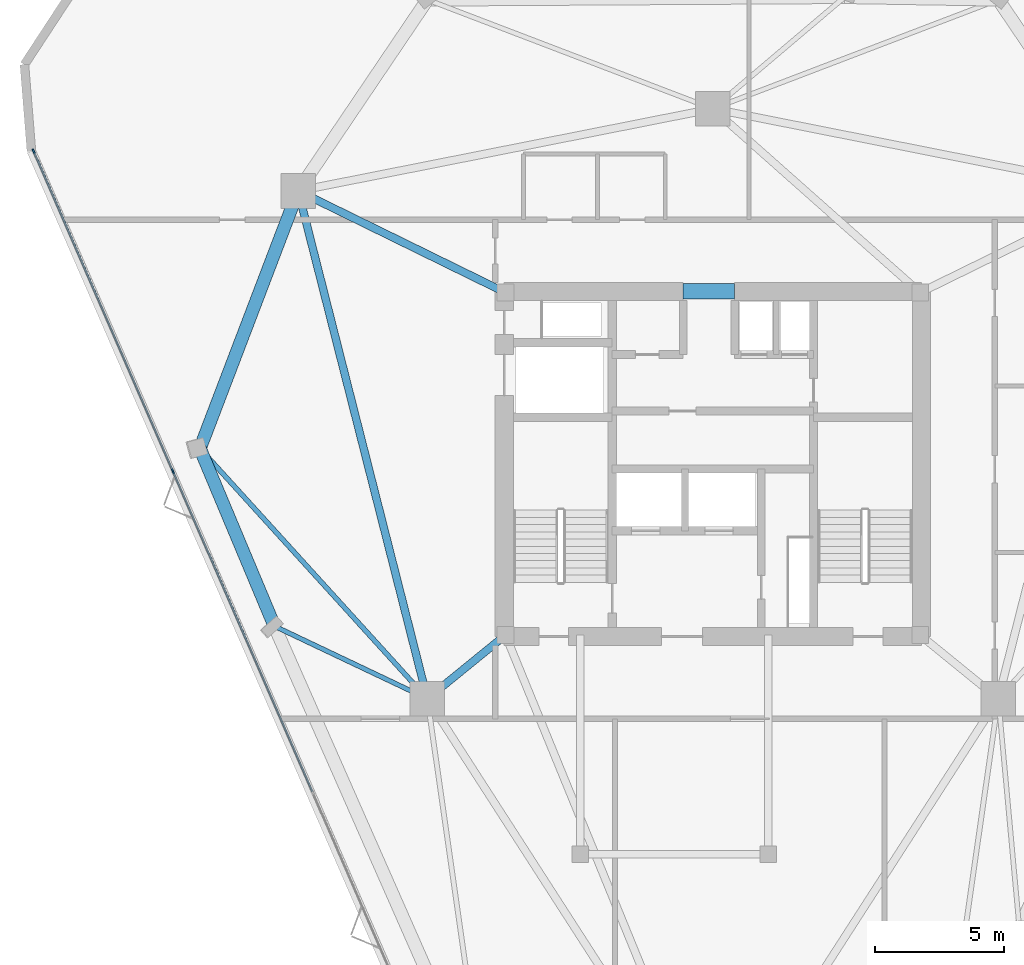
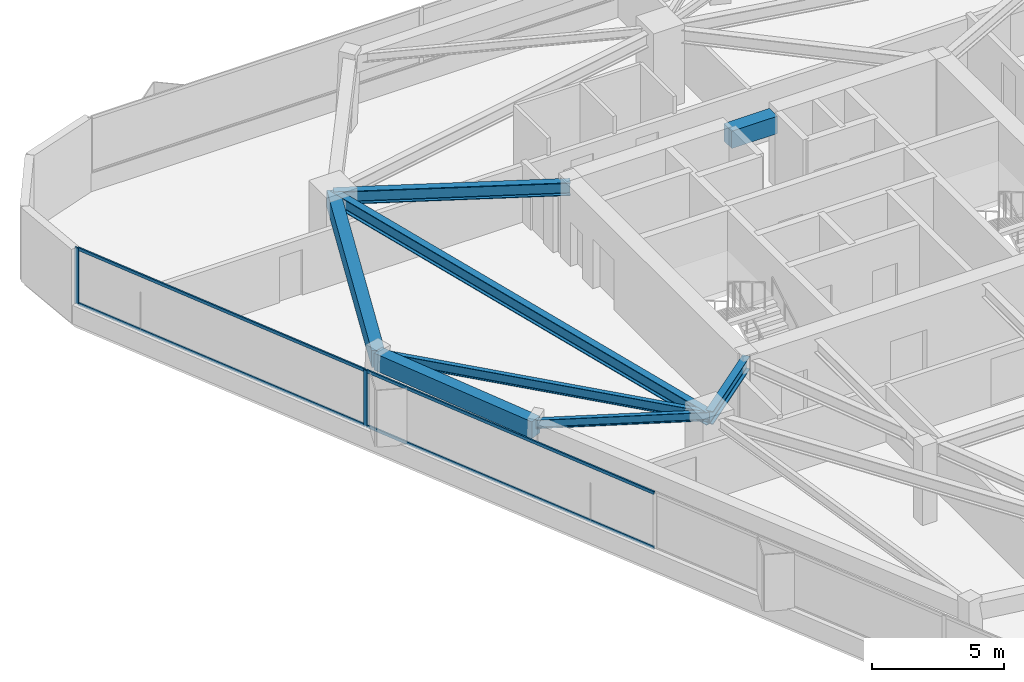
# One storey, part 5 of 12: 8 beams, 6 members, 1 element without a shape of its own.
"""IFC4 building model written with IfcOpenShell, lengths in metres."""

from ifc_helpers import new_model, si_unit, direction, frame, origin, origin_2d, place, context, subcontext, project, spatial, rectangle, i_section, extrude, material, layer, layer_set, material_profile, profile_set, type_object, element, aggregate, save


model = new_model("IFC4")

# Units and contexts
model_context = context("Model", 3, precision=1e-05, world=origin(), true_north=direction((0.0, 1.0)))
body_context = subcontext(model_context, "Body", "Model", "MODEL_VIEW")
ifc_project = project(units=[si_unit("LENGTHUNIT", "METRE"), si_unit("AREAUNIT", "SQUARE_METRE"), si_unit("VOLUMEUNIT", "CUBIC_METRE"), si_unit("PLANEANGLEUNIT", "RADIAN"), si_unit("MASSUNIT", "GRAM", prefix="KILO")], contexts=[model_context])

# Site, building, storey
site_placement = place(None, origin())
site = spatial("IfcSite", under=ifc_project, at=site_placement, CompositionType="ELEMENT")
building_placement = place(site_placement, origin())
building = spatial("IfcBuilding", under=site, at=building_placement, Name="Talyreon Biosciences Tower", CompositionType="ELEMENT")
storey_placement = place(building_placement, frame((0.0, 0.0, 186.699951171875)))
storey = spatial("IfcBuildingStorey", under=building, at=storey_placement, Name="L49", CompositionType="ELEMENT", Elevation=186.699951171875)

# Curtain wall, members
ifc_material_1 = material(Name="Thermally broken aluminium and low-E glazing", Category="aluminium")
ifc_layer = layer(ifc_material_1, 0.179931640625)
ifc_layer_set = layer_set([ifc_layer], Name="Thermally broken aluminium and low-E glazing")
curtain_wall_type = type_object("IfcCurtainWallType", Name="CurtainWall_Zone4Optical", PredefinedType="NOTDEFINED", material=ifc_layer_set)
curtain_wall_placement = place(storey_placement, origin())
curtain_wall = element("IfcCurtainWall", 1, at=curtain_wall_placement, inside=storey, type_object=curtain_wall_type, Name="L49 Unitised Curtain Wall FCW-L49-00", PredefinedType="NOTDEFINED")
ifc_material_2 = material(Name="Anodised thermally broken aluminium", Category="aluminium")
ifc_material_profile_1 = material_profile(ifc_material_2, rectangle(XDim=0.06494140625, YDim=0.179931640625, at=origin_2d()), Name="ALUM MULLION 65x180")
ifc_profile_set_1 = profile_set([ifc_material_profile_1], Name="Anodised thermally broken aluminium")
member_type_1 = type_object("IfcMemberType", Name="CWMullion_65x180", PredefinedType="MULLION", material=ifc_profile_set_1)
member_1_placement = place(storey_placement, frame((45.033447265625, 67.713623046875, 0.81005859375), z_axis=(0.0, 0.0, 1.0), x_axis=(-0.916912184291, -0.399089020519, 0.0)))
member_1 = element("IfcMember", 2, at=member_1_placement, type_object=member_type_1, Name="CW5 mullion 4", PredefinedType="MULLION", context=body_context, shape_type="SweptSolid", body=[
    extrude(rectangle(XDim=0.06494140625, YDim=0.179931640625, at=origin_2d()), origin(), (0.0, 0.0, 1.0), 2.590087890625),
])
member_2_placement = place(storey_placement, frame((39.622314453125, 80.145751953125, 0.81005859375), z_axis=(0.0, 0.0, 1.0), x_axis=(-0.916912184291, -0.399089020519, 0.0)))
member_2 = element("IfcMember", 3, at=member_2_placement, type_object=member_type_1, Name="CW5 mullion 5", PredefinedType="MULLION", context=body_context, shape_type="SweptSolid", body=[
    extrude(rectangle(XDim=0.06494140625, YDim=0.179931640625, at=origin_2d()), origin(), (0.0, 0.0, 1.0), 2.590087890625),
])
ifc_material_profile_2 = material_profile(ifc_material_2, rectangle(XDim=0.06494140625, YDim=0.139892578125, at=origin_2d()), Name="ALUM TRANSOM 65x140")
ifc_profile_set_2 = profile_set([ifc_material_profile_2], Name="Anodised thermally broken aluminium")
member_type_2 = type_object("IfcMemberType", Name="CWTransom_65x140", PredefinedType="USERDEFINED", material=ifc_profile_set_2)
member_3_placement = place(storey_placement, frame((50.4443359375, 55.28173828125, 0.842529296875), z_axis=(-0.399082487198, 0.916915027913, 0.0), x_axis=(-0.916915027913, -0.399082487198, 0.0)))
member_3 = element("IfcMember", 4, at=member_3_placement, type_object=member_type_2, Name="CW5 transom 3.1", ObjectType="TRANSOM", PredefinedType="USERDEFINED", context=body_context, shape_type="SweptSolid", body=[
    extrude(rectangle(XDim=0.06494140625, YDim=0.139892578125, at=origin_2d()), origin(), (0.0, 0.0, 1.0), 13.52587890625),
])
member_4_placement = place(storey_placement, frame((50.4443359375, 55.28173828125, 3.367431640625), z_axis=(-0.399082487198, 0.916915027913, 0.0), x_axis=(-0.916915027913, -0.399082487198, 0.0)))
member_4 = element("IfcMember", 5, at=member_4_placement, type_object=member_type_2, Name="CW5 transom 3.2", ObjectType="TRANSOM", PredefinedType="USERDEFINED", context=body_context, shape_type="SweptSolid", body=[
    extrude(rectangle(XDim=0.06494140625, YDim=0.139892578125, at=origin_2d()), origin(), (0.0, 0.0, 1.0), 13.52587890625),
])
member_5_placement = place(storey_placement, frame((45.020263671875, 67.743408203125, 0.842529296875), z_axis=(-0.399077385587, 0.916917248345, 0.0), x_axis=(-0.916917248345, -0.399077385587, 0.0)))
member_5 = element("IfcMember", 6, at=member_5_placement, type_object=member_type_2, Name="CW5 transom 4.1", ObjectType="TRANSOM", PredefinedType="USERDEFINED", context=body_context, shape_type="SweptSolid", body=[
    extrude(rectangle(XDim=0.06494140625, YDim=0.139892578125, at=origin_2d()), origin(), (0.0, 0.0, 1.0), 13.49365234375),
])
member_6_placement = place(storey_placement, frame((45.020263671875, 67.743408203125, 3.367431640625), z_axis=(-0.399077385587, 0.916917248345, 0.0), x_axis=(-0.916917248345, -0.399077385587, 0.0)))
member_6 = element("IfcMember", 7, at=member_6_placement, type_object=member_type_2, Name="CW5 transom 4.2", ObjectType="TRANSOM", PredefinedType="USERDEFINED", context=body_context, shape_type="SweptSolid", body=[
    extrude(rectangle(XDim=0.06494140625, YDim=0.139892578125, at=origin_2d()), origin(), (0.0, 0.0, 1.0), 13.49365234375),
])
aggregate(curtain_wall, [member_1, member_2, member_3, member_4, member_5, member_6])

# Beams
ifc_material_3 = material(Name="Concrete C50/60", Category="concrete")
ifc_material_profile_3 = material_profile(ifc_material_3, rectangle(XDim=0.60009765625, YDim=0.800048828125, at=origin_2d()), Name="RCB 600x800")
ifc_profile_set_3 = profile_set([ifc_material_profile_3], Name="Concrete C50/60")
beam_type_1 = type_object("IfcBeamType", Name="CoreCouplingLintel_600x800", PredefinedType="LINTEL", material=ifc_profile_set_3)
beam_1_placement = place(storey_placement, frame((64.85009765625, 74.699951171875, 3.0), z_axis=(1.0, 0.0, 0.0), x_axis=(0.0, 1.0, 0.0)))
element("IfcBeam", 8, at=beam_1_placement, inside=storey, type_object=beam_type_1, Name="L49 Core Coupling Lintel", PredefinedType="LINTEL", context=body_context, shape_type="SweptSolid", body=[
    extrude(rectangle(XDim=0.60009765625, YDim=0.800048828125, at=origin_2d()), origin(), (0.0, 0.0, 1.0), 2.0),
])
ifc_material_4 = material(Name="Precast concrete C45/55", Category="concrete")
ifc_material_profile_4 = material_profile(ifc_material_4, rectangle(XDim=0.5, YDim=0.780029296875, at=origin_2d()), Name="RCB 500x780")
ifc_profile_set_4 = profile_set([ifc_material_profile_4], Name="Precast concrete C45/55")
beam_type_2 = type_object("IfcBeamType", Name="ExpressedSpandrel_500x780", PredefinedType="SPANDREL", material=ifc_profile_set_4)
beam_2_placement = place(storey_placement, frame((49.897705078125, 78.5986328125, 3.010009765625), z_axis=(-0.356354789993, -0.934350717691, 0.0), x_axis=(0.934350717691, -0.356354789993, 0.0)))
element("IfcBeam", 9, at=beam_2_placement, inside=storey, type_object=beam_type_2, Name="L49 Expressed Horizontal Concrete Spandrel 09", PredefinedType="SPANDREL", context=body_context, shape_type="SweptSolid", body=[
    extrude(rectangle(XDim=0.5, YDim=0.780029296875, at=origin_2d()), origin(), (0.0, 0.0, 1.0), 10.703369140625),
])
beam_3_placement = place(storey_placement, frame((46.08349609375, 68.597900390625, 3.010009765625), z_axis=(0.386653274285, -0.922225159863, 0.0), x_axis=(0.922225159863, 0.386653274285, 0.0)))
element("IfcBeam", 10, at=beam_3_placement, inside=storey, type_object=beam_type_2, Name="L49 Expressed Horizontal Concrete Spandrel 10", PredefinedType="SPANDREL", context=body_context, shape_type="SweptSolid", body=[
    extrude(rectangle(XDim=0.5, YDim=0.780029296875, at=origin_2d()), origin(), (0.0, 0.0, 1.0), 7.482421875),
])
ifc_material_5 = material(Name="Steel SM355", Category="steel")
ifc_material_profile_5 = material_profile(ifc_material_5, i_section(OverallWidth=0.300048828125, OverallDepth=0.60009765625, WebThickness=0.015380859375, FlangeThickness=0.030029296875, FilletRadius=0.027099609375, at=origin_2d()), Name="HE600B")
ifc_profile_set_5 = profile_set([ifc_material_profile_5], Name="Steel SM355")
beam_type_3 = type_object("IfcBeamType", Name="SteelBeam_HE600B", PredefinedType="BEAM", material=ifc_profile_set_5)
beam_4_placement = place(storey_placement, frame((49.897705078125, 78.5986328125, 3.10009765625), z_axis=(0.246537082299, -0.969133358755, 0.0), x_axis=(0.969133358755, 0.246537082299, 0.0)))
element("IfcBeam", 11, at=beam_4_placement, inside=storey, type_object=beam_type_3, Name="L49 Mega-Ring Girder 5", PredefinedType="BEAM", context=body_context, shape_type="SweptSolid", body=[
    extrude(i_section(OverallWidth=0.300048828125, OverallDepth=0.60009765625, WebThickness=0.015380859375, FlangeThickness=0.030029296875, FilletRadius=0.027099609375, at=origin_2d()), origin(), (0.0, 0.0, 1.0), 20.34619140625),
])
beam_5_placement = place(storey_placement, frame((57.949951171875, 74.64990234375, 3.10009765625), z_axis=(-0.897852360314, 0.440296648952, 0.0), x_axis=(-0.440296648952, -0.897852360314, 0.0)))
element("IfcBeam", 12, at=beam_5_placement, inside=storey, type_object=beam_type_3, Name="L49 Radial Primary Girder 5", PredefinedType="BEAM", context=body_context, shape_type="SweptSolid", body=[
    extrude(i_section(OverallWidth=0.300048828125, OverallDepth=0.60009765625, WebThickness=0.015380859375, FlangeThickness=0.030029296875, FilletRadius=0.027099609375, at=origin_2d()), origin(), (0.0, 0.0, 1.0), 8.96826171875),
])
beam_6_placement = place(storey_placement, frame((57.949951171875, 61.35009765625, 3.10009765625), z_axis=(-0.775755154013, -0.631034025249, 0.0), x_axis=(0.631034025249, -0.775755154013, 0.0)))
element("IfcBeam", 13, at=beam_6_placement, inside=storey, type_object=beam_type_3, Name="L49 Radial Primary Girder 6", PredefinedType="BEAM", context=body_context, shape_type="SweptSolid", body=[
    extrude(i_section(OverallWidth=0.300048828125, OverallDepth=0.60009765625, WebThickness=0.015380859375, FlangeThickness=0.030029296875, FilletRadius=0.027099609375, at=origin_2d()), origin(), (0.0, 0.0, 1.0), 3.913818359375),
])
ifc_material_profile_6 = material_profile(ifc_material_5, i_section(OverallWidth=0.179931640625, OverallDepth=0.39990234375, WebThickness=0.008544921875, FlangeThickness=0.013427734375, FilletRadius=0.02099609375, at=origin_2d()), Name="IPE400")
ifc_profile_set_6 = profile_set([ifc_material_profile_6], Name="Steel SM355")
beam_type_4 = type_object("IfcBeamType", Name="SteelJoist_IPE400", PredefinedType="JOIST", material=ifc_profile_set_6)
beam_7_placement = place(storey_placement, frame((54.913818359375, 58.88037109375, 3.199951171875), z_axis=(-0.903457757847, 0.428677127669, 0.0), x_axis=(-0.428677127669, -0.903457757847, 0.0)))
element("IfcBeam", 14, at=beam_7_placement, inside=storey, type_object=beam_type_4, Name="L49 Radial Composite Floor Joist PL-SW", PredefinedType="JOIST", context=body_context, shape_type="SweptSolid", body=[
    extrude(i_section(OverallWidth=0.179931640625, OverallDepth=0.39990234375, WebThickness=0.008544921875, FlangeThickness=0.013427734375, FilletRadius=0.02099609375, at=origin_2d()), origin(), (0.0, 0.0, 1.0), 6.57177734375),
])
ifc_material_profile_7 = material_profile(ifc_material_5, i_section(OverallWidth=0.18994140625, OverallDepth=0.449951171875, WebThickness=0.009521484375, FlangeThickness=0.0146484375, FilletRadius=0.02099609375, at=origin_2d()), Name="IPE450")
ifc_profile_set_7 = profile_set([ifc_material_profile_7], Name="Steel SM355")
beam_type_5 = type_object("IfcBeamType", Name="SteelJoist_IPE450", PredefinedType="JOIST", material=ifc_profile_set_7)
beam_8_placement = place(storey_placement, frame((54.913818359375, 58.88037109375, 3.175048828125), z_axis=(-0.672514522064, 0.740083926061, 0.0), x_axis=(-0.740083926061, -0.672514522064, 0.0)))
element("IfcBeam", 15, at=beam_8_placement, inside=storey, type_object=beam_type_5, Name="L49 Radial Composite Floor Joist PC-SW1", PredefinedType="JOIST", context=body_context, shape_type="SweptSolid", body=[
    extrude(i_section(OverallWidth=0.18994140625, OverallDepth=0.449951171875, WebThickness=0.009521484375, FlangeThickness=0.0146484375, FilletRadius=0.02099609375, at=origin_2d()), origin(), (0.0, 0.0, 1.0), 13.13037109375),
])

save(model, "model.ifc")
